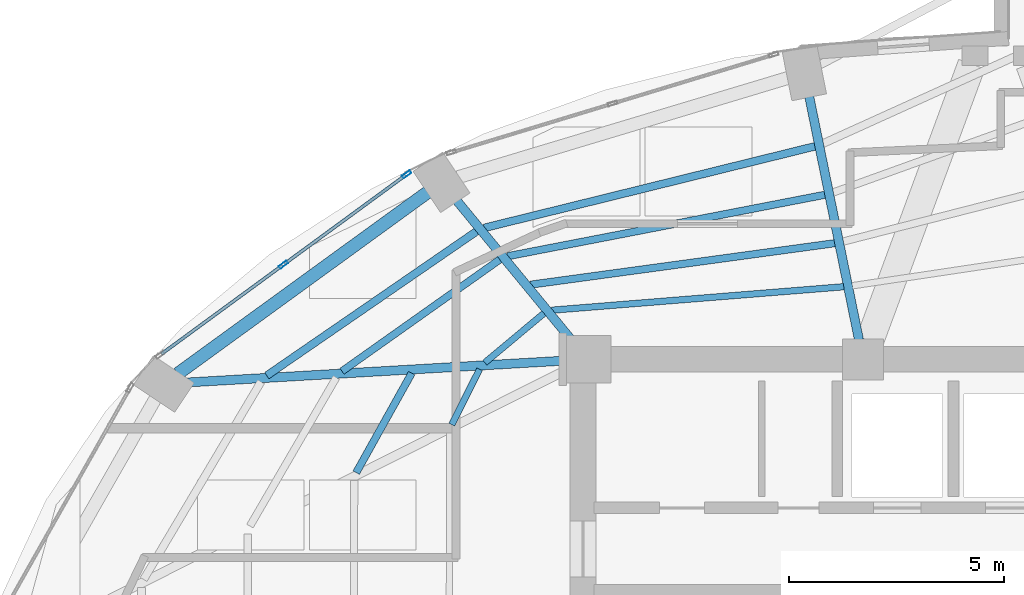
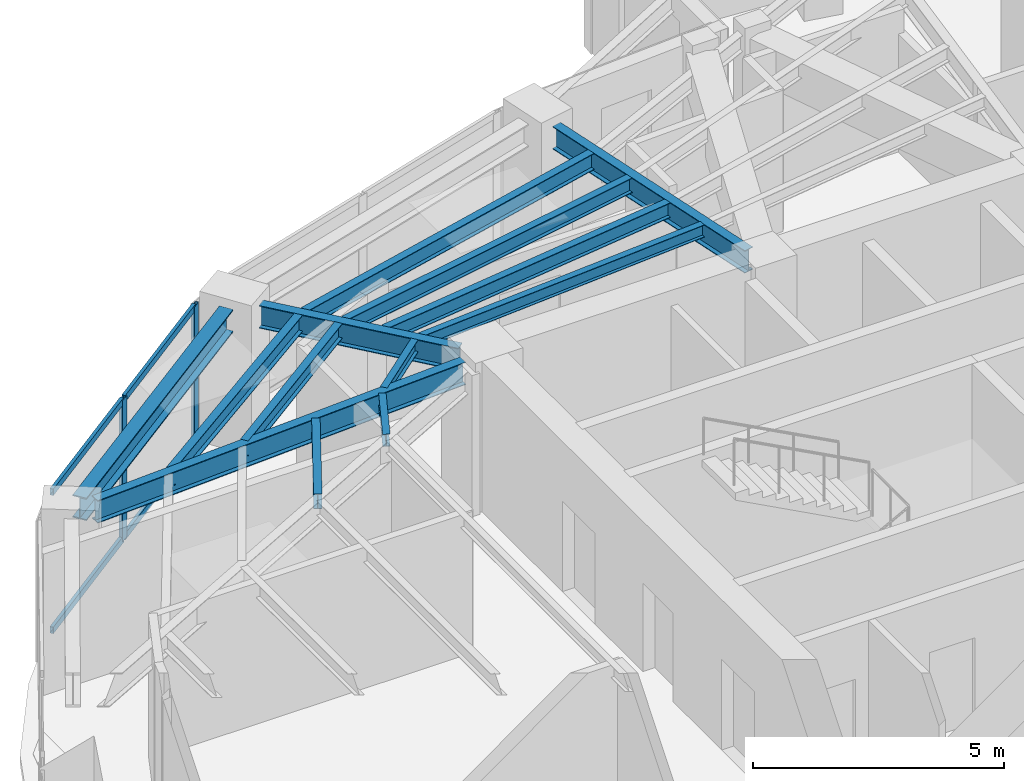
# One storey, part 7 of 19: 13 beams, 6 members, 1 element without a shape of its own.
"""IFC4 building model written with IfcOpenShell, lengths in metres."""

from ifc_helpers import new_model, si_unit, direction, frame, origin, origin_2d, place, context, subcontext, project, spatial, hollow_rectangle, i_section, extrude, material, layer, layer_set, material_profile, profile_set, type_object, element, aggregate, save


model = new_model("IFC4")

# Units and contexts
model_context = context("Model", 3, precision=1e-05, world=origin(), true_north=direction((0.0, 1.0)))
body_context = subcontext(model_context, "Body", "Model", "MODEL_VIEW")
ifc_project = project(units=[si_unit("LENGTHUNIT", "METRE"), si_unit("AREAUNIT", "SQUARE_METRE"), si_unit("VOLUMEUNIT", "CUBIC_METRE"), si_unit("PLANEANGLEUNIT", "RADIAN"), si_unit("MASSUNIT", "GRAM", prefix="KILO")], contexts=[model_context])

# Site, building, storey
site_placement = place(None, origin())
site = spatial("IfcSite", under=ifc_project, at=site_placement, CompositionType="ELEMENT")
building_placement = place(site_placement, origin())
building = spatial("IfcBuilding", under=site, at=building_placement, Name="Lazwardi Medical Tower", CompositionType="ELEMENT")
storey_placement = place(building_placement, frame((0.0, 0.0, 163.823974609375)))
storey = spatial("IfcBuildingStorey", under=building, at=storey_placement, Name="L42", CompositionType="ELEMENT", Elevation=163.823974609375)

# Beams
ifc_material_1 = material(Name="Steel S355", Category="steel")
ifc_material_profile_1 = material_profile(ifc_material_1, i_section(OverallWidth=0.300048828125, OverallDepth=0.550048828125, WebThickness=0.014892578125, FlangeThickness=0.029052734375, at=origin_2d()), Name="HEB 550")
ifc_profile_set_1 = profile_set([ifc_material_profile_1], Name="Steel S355")
beam_type_1 = type_object("IfcBeamType", Name="BM-RB-Z3", PredefinedType="BEAM", material=ifc_profile_set_1)
beam_1_placement = place(storey_placement, frame((22.689697265625, 39.479248046875, 3.153076171875), z_axis=(-0.809127570774, -0.587633026824, 0.0), x_axis=(0.587633026824, -0.809127570774, 0.0)))
element("IfcBeam", 1, at=beam_1_placement, inside=storey, type_object=beam_type_1, Name="Ring beam RB-04 B10 L42", PredefinedType="BEAM", context=body_context, shape_type="SweptSolid", body=[
    extrude(i_section(OverallWidth=0.300048828125, OverallDepth=0.550048828125, WebThickness=0.014892578125, FlangeThickness=0.029052734375, at=origin_2d()), origin(), (0.0, 0.0, 1.0), 7.170166015625),
])
ifc_material_profile_2 = material_profile(ifc_material_1, i_section(OverallWidth=0.2099609375, OverallDepth=0.550048828125, WebThickness=0.010986328125, FlangeThickness=0.01708984375, at=origin_2d()), Name="IPE 550")
ifc_profile_set_2 = profile_set([ifc_material_profile_2], Name="Steel S355")
beam_type_2 = type_object("IfcBeamType", Name="BM-RG-W2", PredefinedType="BEAM", material=ifc_profile_set_2)
beam_2_placement = place(storey_placement, frame((31.552001953125, 41.7001953125, 3.153076171875), z_axis=(0.200429485343, -0.979708130723, 0.0), x_axis=(0.979708130723, 0.200429485343, 0.0)))
element("IfcBeam", 2, at=beam_2_placement, inside=storey, type_object=beam_type_2, Name="Radial girder RG-03 R09 L42", PredefinedType="BEAM", context=body_context, shape_type="SweptSolid", body=[
    extrude(i_section(OverallWidth=0.2099609375, OverallDepth=0.550048828125, WebThickness=0.010986328125, FlangeThickness=0.01708984375, at=origin_2d()), origin(), (0.0, 0.0, 1.0), 5.766357421875),
])
beam_3_placement = place(storey_placement, frame((23.369384765625, 39.28173828125, 3.153076171875), z_axis=(0.635555639966, -0.772055068312, 0.0), x_axis=(0.772055068312, 0.635555639966, 0.0)))
element("IfcBeam", 3, at=beam_3_placement, inside=storey, type_object=beam_type_2, Name="Radial girder RG-03 R10 L42", PredefinedType="BEAM", context=body_context, shape_type="SweptSolid", body=[
    extrude(i_section(OverallWidth=0.2099609375, OverallDepth=0.550048828125, WebThickness=0.010986328125, FlangeThickness=0.01708984375, at=origin_2d()), origin(), (0.0, 0.0, 1.0), 4.233642578125),
])
beam_4_placement = place(storey_placement, frame((17.12353515625, 35.063232421875, 3.153076171875), z_axis=(0.998330154646, 0.057765927014, 0.0), x_axis=(-0.057765927014, 0.998330154646, 0.0)))
element("IfcBeam", 4, at=beam_4_placement, inside=storey, type_object=beam_type_2, Name="Radial girder RG-03 R11 L42", PredefinedType="BEAM", context=body_context, shape_type="SweptSolid", body=[
    extrude(i_section(OverallWidth=0.2099609375, OverallDepth=0.550048828125, WebThickness=0.010986328125, FlangeThickness=0.01708984375, at=origin_2d()), origin(), (0.0, 0.0, 1.0), 8.757080078125),
])
ifc_material_profile_3 = material_profile(ifc_material_1, i_section(OverallWidth=0.179931640625, OverallDepth=0.39990234375, WebThickness=0.008544921875, FlangeThickness=0.013427734375, at=origin_2d()), Name="IPE 400")
ifc_profile_set_3 = profile_set([ifc_material_profile_3], Name="Steel S355")
beam_type_3 = type_object("IfcBeamType", Name="BM-SJ-01", PredefinedType="JOIST", material=ifc_profile_set_3)
beam_5_placement = place(storey_placement, frame((31.68603515625, 40.54638671875, 3.22802734375), z_axis=(-0.970912648168, -0.239433977597, 0.0), x_axis=(0.239433977597, -0.970912648168, 0.0)))
element("IfcBeam", 5, at=beam_5_placement, inside=storey, type_object=beam_type_3, Name="Secondary joist SJ-01 R1 B09 L42", PredefinedType="JOIST", context=body_context, shape_type="SweptSolid", body=[
    extrude(i_section(OverallWidth=0.179931640625, OverallDepth=0.39990234375, WebThickness=0.008544921875, FlangeThickness=0.013427734375, at=origin_2d()), origin(), (0.0, 0.0, 1.0), 7.91162109375),
])
beam_6_placement = place(storey_placement, frame((23.8251953125, 38.5712890625, 3.22802734375), z_axis=(-0.823932256005, -0.566688307198, 0.0), x_axis=(0.566688307198, -0.823932256005, 0.0)))
element("IfcBeam", 6, at=beam_6_placement, inside=storey, type_object=beam_type_3, Name="Secondary joist SJ-01 R1 B10 L42", PredefinedType="JOIST", context=body_context, shape_type="SweptSolid", body=[
    extrude(i_section(OverallWidth=0.179931640625, OverallDepth=0.39990234375, WebThickness=0.008544921875, FlangeThickness=0.013427734375, at=origin_2d()), origin(), (0.0, 0.0, 1.0), 5.91162109375),
])
ifc_material_profile_4 = material_profile(ifc_material_1, i_section(OverallWidth=0.169921875, OverallDepth=0.360107421875, WebThickness=0.008056640625, FlangeThickness=0.0126953125, at=origin_2d()), Name="IPE 360")
ifc_profile_set_4 = profile_set([ifc_material_profile_4], Name="Steel S355")
beam_type_4 = type_object("IfcBeamType", Name="BM-SJ-02", PredefinedType="JOIST", material=ifc_profile_set_4)
beam_7_placement = place(storey_placement, frame((31.916015625, 39.42138671875, 3.248046875), z_axis=(-0.981753035865, -0.190160396953, 0.0), x_axis=(0.190160396953, -0.981753035865, 0.0)))
element("IfcBeam", 7, at=beam_7_placement, inside=storey, type_object=beam_type_4, Name="Secondary joist SJ-02 R2 B09 L42", PredefinedType="JOIST", context=body_context, shape_type="SweptSolid", body=[
    extrude(i_section(OverallWidth=0.169921875, OverallDepth=0.360107421875, WebThickness=0.008056640625, FlangeThickness=0.0126953125, at=origin_2d()), origin(), (0.0, 0.0, 1.0), 7.50927734375),
])
beam_8_placement = place(storey_placement, frame((24.364013671875, 37.91650390625, 3.248046875), z_axis=(-0.816108950798, -0.577898070967, 0.0), x_axis=(0.577898070967, -0.816108950798, 0.0)))
element("IfcBeam", 8, at=beam_8_placement, inside=storey, type_object=beam_type_4, Name="Secondary joist SJ-02 R2 B10 L42", PredefinedType="JOIST", context=body_context, shape_type="SweptSolid", body=[
    extrude(i_section(OverallWidth=0.169921875, OverallDepth=0.360107421875, WebThickness=0.008056640625, FlangeThickness=0.0126953125, at=origin_2d()), origin(), (0.0, 0.0, 1.0), 4.487060546875),
])
beam_9_placement = place(storey_placement, frame((32.146484375, 38.297119140625, 3.248046875), z_axis=(-0.990832043476, -0.135099450852, 0.0), x_axis=(0.135099450852, -0.990832043476, 0.0)))
element("IfcBeam", 9, at=beam_9_placement, inside=storey, type_object=beam_type_4, Name="Secondary joist SJ-02 R3 B09 L42", PredefinedType="JOIST", context=body_context, shape_type="SweptSolid", body=[
    extrude(i_section(OverallWidth=0.169921875, OverallDepth=0.360107421875, WebThickness=0.008056640625, FlangeThickness=0.0126953125, at=origin_2d()), origin(), (0.0, 0.0, 1.0), 7.129150390625),
])
beam_10_placement = place(storey_placement, frame((22.3203125, 35.279296875, 3.248046875), z_axis=(-0.487099444348, -0.87334651274, 0.0), x_axis=(0.87334651274, -0.487099444348, 0.0)))
element("IfcBeam", 10, at=beam_10_placement, inside=storey, type_object=beam_type_4, Name="Secondary joist SJ-02 R3 B11 L42", PredefinedType="JOIST", context=body_context, shape_type="SweptSolid", body=[
    extrude(i_section(OverallWidth=0.169921875, OverallDepth=0.360107421875, WebThickness=0.008056640625, FlangeThickness=0.0126953125, at=origin_2d()), origin(), (0.0, 0.0, 1.0), 2.64599609375),
])
ifc_material_profile_5 = material_profile(ifc_material_1, i_section(OverallWidth=0.14990234375, OverallDepth=0.300048828125, WebThickness=0.007080078125, FlangeThickness=0.0107421875, at=origin_2d()), Name="IPE 300")
ifc_profile_set_5 = profile_set([ifc_material_profile_5], Name="Steel S355")
beam_type_5 = type_object("IfcBeamType", Name="BM-SJ-03", PredefinedType="JOIST", material=ifc_profile_set_5)
beam_11_placement = place(storey_placement, frame((32.353759765625, 37.28564453125, 3.278076171875), z_axis=(-0.996785792338, -0.08011294647, 0.0), x_axis=(0.08011294647, -0.996785792338, 0.0)))
element("IfcBeam", 11, at=beam_11_placement, inside=storey, type_object=beam_type_5, Name="Secondary joist SJ-03 R4 B09 L42", PredefinedType="JOIST", context=body_context, shape_type="SweptSolid", body=[
    extrude(i_section(OverallWidth=0.14990234375, OverallDepth=0.300048828125, WebThickness=0.007080078125, FlangeThickness=0.0107421875, at=origin_2d()), origin(), (0.0, 0.0, 1.0), 6.80810546875),
])
beam_12_placement = place(storey_placement, frame((25.391357421875, 36.668212890625, 3.278076171875), z_axis=(-0.767437193893, -0.641124132621, 0.0), x_axis=(0.641124132621, -0.767437193893, 0.0)))
element("IfcBeam", 12, at=beam_12_placement, inside=storey, type_object=beam_type_5, Name="Secondary joist SJ-03 R4 B10 L42", PredefinedType="JOIST", context=body_context, shape_type="SweptSolid", body=[
    extrude(i_section(OverallWidth=0.14990234375, OverallDepth=0.300048828125, WebThickness=0.007080078125, FlangeThickness=0.0107421875, at=origin_2d()), origin(), (0.0, 0.0, 1.0), 1.787841796875),
])
beam_13_placement = place(storey_placement, frame((23.8974609375, 35.368408203125, 3.278076171875), z_axis=(-0.450406075332, -0.892823816497, 0.0), x_axis=(0.892823816497, -0.450406075332, 0.0)))
element("IfcBeam", 13, at=beam_13_placement, inside=storey, type_object=beam_type_5, Name="Secondary joist SJ-03 R4 B11 L42", PredefinedType="JOIST", context=body_context, shape_type="SweptSolid", body=[
    extrude(i_section(OverallWidth=0.14990234375, OverallDepth=0.300048828125, WebThickness=0.007080078125, FlangeThickness=0.0107421875, at=origin_2d()), origin(), (0.0, 0.0, 1.0), 1.4365234375),
])

# Curtain wall, members
ifc_material_2 = material(Name="Anodised bronze aluminium and solar control glazing", Category="aluminium")
ifc_layer = layer(ifc_material_2, 0.195068359375)
ifc_layer_set = layer_set([ifc_layer], Name="Anodised bronze aluminium and solar control glazing")
curtain_wall_type = type_object("IfcCurtainWallType", Name="CW-SYS-03", PredefinedType="NOTDEFINED", material=ifc_layer_set)
curtain_wall_placement = place(storey_placement, origin())
curtain_wall = element("IfcCurtainWall", 14, at=curtain_wall_placement, inside=storey, type_object=curtain_wall_type, Name="L42 Unitised bronze curtain wall CW-03", PredefinedType="NOTDEFINED")
ifc_material_3 = material(Name="Anodised bronze aluminium", Category="aluminium")
ifc_material_profile_6 = material_profile(ifc_material_3, hollow_rectangle(XDim=0.074951171875, YDim=0.219970703125, WallThickness=0.00390625, at=origin_2d()), Name="ALU-MULLION 220x75x4")
ifc_profile_set_6 = profile_set([ifc_material_profile_6], Name="Anodised bronze aluminium")
member_type_1 = type_object("IfcMemberType", Name="CW-MUL-01", PredefinedType="MULLION", material=ifc_profile_set_6)
member_1_placement = place(storey_placement, frame((22.204345703125, 39.894775390625, 0.0), z_axis=(0.0, 0.0, 1.0), x_axis=(0.590833862635, -0.806793249082, 0.0)))
member_1 = element("IfcMember", 15, at=member_1_placement, type_object=member_type_1, Name="CW-03 mullion 1", PredefinedType="MULLION", context=body_context, shape_type="SweptSolid", body=[
    extrude(hollow_rectangle(XDim=0.074951171875, YDim=0.219970703125, WallThickness=0.00390625, at=origin_2d()), origin(), (0.0, 0.0, 1.0), 3.427978515625),
])
member_2_placement = place(storey_placement, frame((19.34228515625, 37.798828125, 0.0), z_axis=(0.0, 0.0, 1.0), x_axis=(0.590833862635, -0.806793249082, 0.0)))
member_2 = element("IfcMember", 16, at=member_2_placement, type_object=member_type_1, Name="CW-03 mullion 2", PredefinedType="MULLION", context=body_context, shape_type="SweptSolid", body=[
    extrude(hollow_rectangle(XDim=0.074951171875, YDim=0.219970703125, WallThickness=0.00390625, at=origin_2d()), origin(), (0.0, 0.0, 1.0), 3.427978515625),
])
ifc_material_profile_7 = material_profile(ifc_material_3, hollow_rectangle(XDim=0.074951171875, YDim=0.159912109375, WallThickness=0.00390625, at=origin_2d()), Name="ALU-TRANSOM 160x75x4")
ifc_profile_set_7 = profile_set([ifc_material_profile_7], Name="Anodised bronze aluminium")
member_type_2 = type_object("IfcMemberType", Name="CW-TRN-01", PredefinedType="USERDEFINED", material=ifc_profile_set_7)
member_3_placement = place(storey_placement, frame((22.174072265625, 39.872802734375, 0.03759765625), z_axis=(-0.806773646358, -0.590860629542, 0.0), x_axis=(0.590860629542, -0.806773646358, 0.0)))
member_3 = element("IfcMember", 17, at=member_3_placement, type_object=member_type_2, Name="CW-03 transom 1.1", ObjectType="TRANSOM", PredefinedType="USERDEFINED", context=body_context, shape_type="SweptSolid", body=[
    extrude(hollow_rectangle(XDim=0.074951171875, YDim=0.159912109375, WallThickness=0.00390625, at=origin_2d()), origin(), (0.0, 0.0, 1.0), 3.472412109375),
])
member_4_placement = place(storey_placement, frame((22.174072265625, 39.872802734375, 3.390625), z_axis=(-0.806773646358, -0.590860629542, 0.0), x_axis=(0.590860629542, -0.806773646358, 0.0)))
member_4 = element("IfcMember", 18, at=member_4_placement, type_object=member_type_2, Name="CW-03 transom 1.2", ObjectType="TRANSOM", PredefinedType="USERDEFINED", context=body_context, shape_type="SweptSolid", body=[
    extrude(hollow_rectangle(XDim=0.074951171875, YDim=0.159912109375, WallThickness=0.00390625, at=origin_2d()), origin(), (0.0, 0.0, 1.0), 3.472412109375),
])
member_5_placement = place(storey_placement, frame((19.31201171875, 37.77685546875, 0.03759765625), z_axis=(-0.806773646358, -0.590860629542, 0.0), x_axis=(0.590860629542, -0.806773646358, 0.0)))
member_5 = element("IfcMember", 19, at=member_5_placement, type_object=member_type_2, Name="CW-03 transom 2.1", ObjectType="TRANSOM", PredefinedType="USERDEFINED", context=body_context, shape_type="SweptSolid", body=[
    extrude(hollow_rectangle(XDim=0.074951171875, YDim=0.159912109375, WallThickness=0.00390625, at=origin_2d()), origin(), (0.0, 0.0, 1.0), 3.472412109375),
])
member_6_placement = place(storey_placement, frame((19.31201171875, 37.77685546875, 3.390625), z_axis=(-0.806773646358, -0.590860629542, 0.0), x_axis=(0.590860629542, -0.806773646358, 0.0)))
member_6 = element("IfcMember", 20, at=member_6_placement, type_object=member_type_2, Name="CW-03 transom 2.2", ObjectType="TRANSOM", PredefinedType="USERDEFINED", context=body_context, shape_type="SweptSolid", body=[
    extrude(hollow_rectangle(XDim=0.074951171875, YDim=0.159912109375, WallThickness=0.00390625, at=origin_2d()), origin(), (0.0, 0.0, 1.0), 3.472412109375),
])
aggregate(curtain_wall, [member_1, member_2, member_3, member_4, member_5, member_6])

save(model, "model.ifc")
